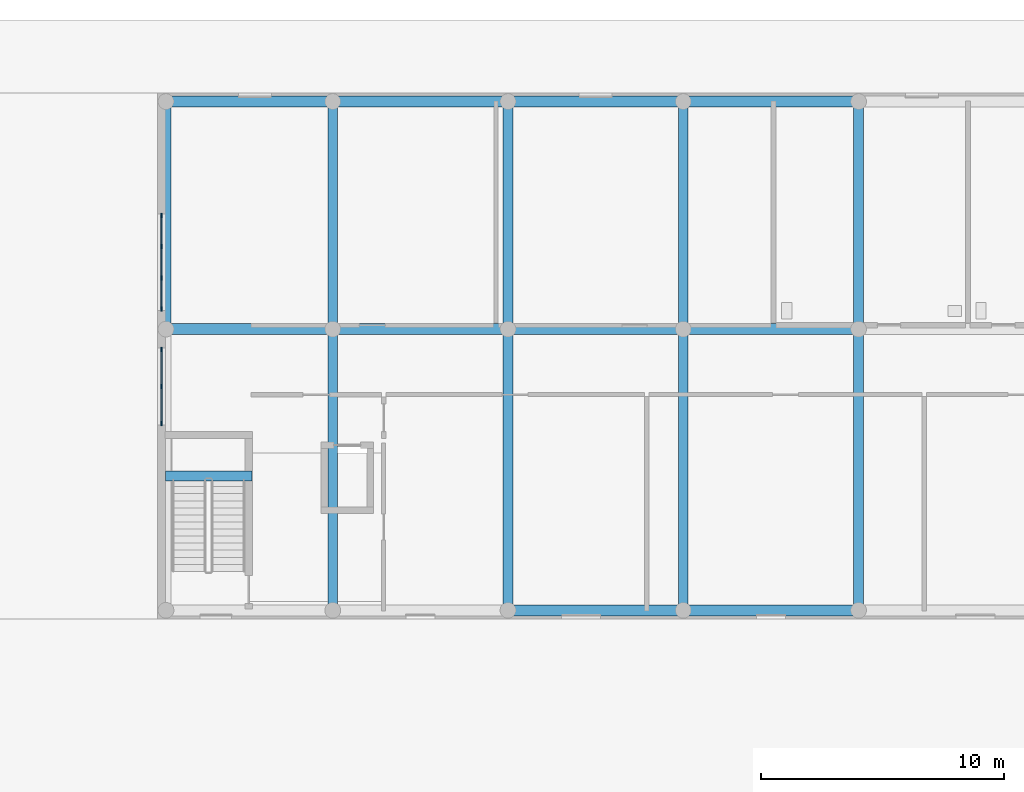
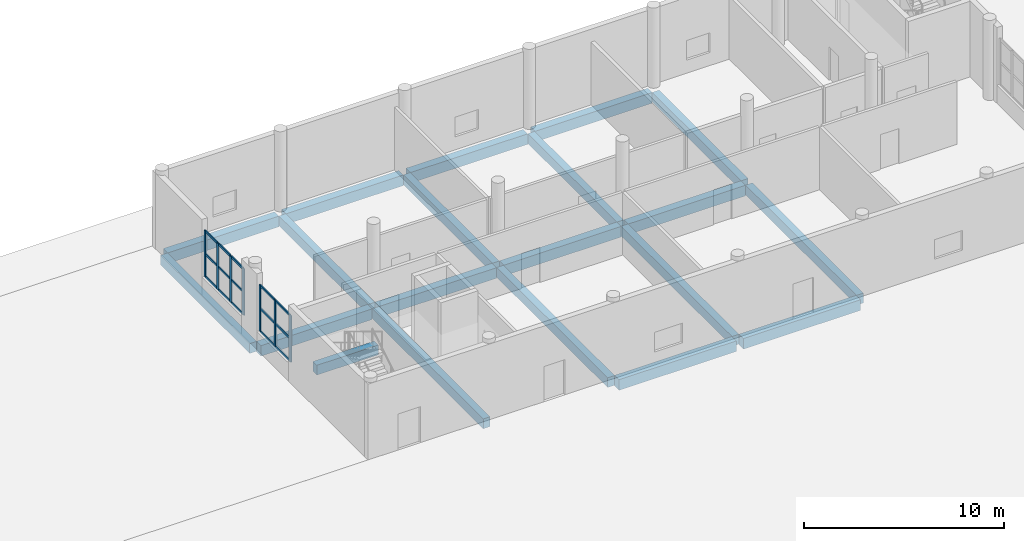
# One storey, part 21 of 85: 22 members, 20 beams, 2 elements without a shape of their own.
"""IFC4 building model written with IfcOpenShell, lengths in metres."""

from ifc_helpers import new_model, si_unit, derived_unit, direction, frame, origin, origin_2d, place, context, subcontext, project, spatial, rectangle, extrude, material, layer, layer_set, material_profile, profile_set, type_object, element, aggregate, save


model = new_model("IFC4")

# Units and contexts
model_context = context("Model", 3, precision=1e-05, world=origin(), true_north=direction((0.0, 1.0)))
body_context = subcontext(model_context, "Body", "Model", "MODEL_VIEW")
ifc_project = project(units=[si_unit("LENGTHUNIT", "METRE"), si_unit("AREAUNIT", "SQUARE_METRE"), si_unit("VOLUMEUNIT", "CUBIC_METRE"), si_unit("PLANEANGLEUNIT", "RADIAN"), si_unit("MASSUNIT", "GRAM", prefix="KILO"), derived_unit("THERMALTRANSMITTANCEUNIT", [(si_unit("MASSUNIT", "GRAM", prefix="KILO"), 1), (si_unit("TIMEUNIT", "SECOND"), -3), (si_unit("THERMODYNAMICTEMPERATUREUNIT", "KELVIN"), -1)])], contexts=[model_context])

# Site, building, storey
site_placement = place(None, origin())
site = spatial("IfcSite", under=ifc_project, at=site_placement, CompositionType="ELEMENT")
building_placement = place(site_placement, origin())
building = spatial("IfcBuilding", under=site, at=building_placement, Name="Ochrekiln Boulevard Commons", CompositionType="ELEMENT")
storey_placement = place(building_placement, origin())
storey = spatial("IfcBuildingStorey", under=building, at=storey_placement, Name="L00", CompositionType="ELEMENT", Elevation=0.0)

# Beams
ifc_material_1 = material(Name="Concrete C35/45", Category="concrete")
ifc_material_profile_1 = material_profile(ifc_material_1, rectangle(XDim=0.39990234375, YDim=0.60009765625, at=origin_2d()), Name="RC-BM-400x600")
ifc_profile_set_1 = profile_set([ifc_material_profile_1], Name="Concrete C35/45")
beam_type_1 = type_object("IfcBeamType", Name="BM-RC-400x600", PredefinedType="BEAM", material=ifc_profile_set_1)
beam_1_placement = place(storey_placement, frame((65.14990234375, 109.31005859375, -0.580078125), z_axis=(0.0, 1.0, 0.0), x_axis=(-1.0, 0.0, 0.0)))
element("IfcBeam", 1, at=beam_1_placement, inside=storey, type_object=beam_type_1, Name="Nursery Pavilion L00 Beam B-4060 Y20", PredefinedType="BEAM", context=body_context, shape_type="SweptSolid", body=[
    extrude(rectangle(XDim=0.39990234375, YDim=0.60009765625, at=origin_2d()), origin(), (0.0, 0.0, 1.0), 8.929931640625),
])
beam_2_placement = place(storey_placement, frame((72.0, 97.760009765625, -0.580078125), z_axis=(0.0, 1.0, 0.0), x_axis=(-1.0, 0.0, 0.0)))
element("IfcBeam", 2, at=beam_2_placement, inside=storey, type_object=beam_type_1, Name="Nursery Pavilion L00 Beam B-4060 Y21", PredefinedType="BEAM", context=body_context, shape_type="SweptSolid", body=[
    extrude(rectangle(XDim=0.39990234375, YDim=0.60009765625, at=origin_2d()), origin(), (0.0, 0.0, 1.0), 11.1298828125),
])
beam_3_placement = place(storey_placement, frame((72.0, 109.31005859375, -0.580078125), z_axis=(0.0, 1.0, 0.0), x_axis=(-1.0, 0.0, 0.0)))
element("IfcBeam", 3, at=beam_3_placement, inside=storey, type_object=beam_type_1, Name="Nursery Pavilion L00 Beam B-4060 Y22", PredefinedType="BEAM", context=body_context, shape_type="SweptSolid", body=[
    extrude(rectangle(XDim=0.39990234375, YDim=0.60009765625, at=origin_2d()), origin(), (0.0, 0.0, 1.0), 8.929931640625),
])
beam_4_placement = place(storey_placement, frame((79.199951171875, 97.760009765625, -0.580078125), z_axis=(0.0, 1.0, 0.0), x_axis=(-1.0, 0.0, 0.0)))
element("IfcBeam", 4, at=beam_4_placement, inside=storey, type_object=beam_type_1, Name="Nursery Pavilion L00 Beam B-4060 Y23", PredefinedType="BEAM", context=body_context, shape_type="SweptSolid", body=[
    extrude(rectangle(XDim=0.39990234375, YDim=0.60009765625, at=origin_2d()), origin(), (0.0, 0.0, 1.0), 11.1298828125),
])
beam_5_placement = place(storey_placement, frame((79.199951171875, 109.31005859375, -0.580078125), z_axis=(0.0, 1.0, 0.0), x_axis=(-1.0, 0.0, 0.0)))
element("IfcBeam", 5, at=beam_5_placement, inside=storey, type_object=beam_type_1, Name="Nursery Pavilion L00 Beam B-4060 Y24", PredefinedType="BEAM", context=body_context, shape_type="SweptSolid", body=[
    extrude(rectangle(XDim=0.39990234375, YDim=0.60009765625, at=origin_2d()), origin(), (0.0, 0.0, 1.0), 8.929931640625),
])
beam_6_placement = place(storey_placement, frame((86.39990234375, 97.760009765625, -0.580078125), z_axis=(0.0, 1.0, 0.0), x_axis=(-1.0, 0.0, 0.0)))
element("IfcBeam", 6, at=beam_6_placement, inside=storey, type_object=beam_type_1, Name="Nursery Pavilion L00 Beam B-4060 Y25", PredefinedType="BEAM", context=body_context, shape_type="SweptSolid", body=[
    extrude(rectangle(XDim=0.39990234375, YDim=0.60009765625, at=origin_2d()), origin(), (0.0, 0.0, 1.0), 11.1298828125),
])
beam_7_placement = place(storey_placement, frame((86.39990234375, 109.31005859375, -0.580078125), z_axis=(0.0, 1.0, 0.0), x_axis=(-1.0, 0.0, 0.0)))
element("IfcBeam", 7, at=beam_7_placement, inside=storey, type_object=beam_type_1, Name="Nursery Pavilion L00 Beam B-4060 Y26", PredefinedType="BEAM", context=body_context, shape_type="SweptSolid", body=[
    extrude(rectangle(XDim=0.39990234375, YDim=0.60009765625, at=origin_2d()), origin(), (0.0, 0.0, 1.0), 8.929931640625),
])
beam_8_placement = place(storey_placement, frame((93.60009765625, 97.760009765625, -0.580078125), z_axis=(0.0, 1.0, 0.0), x_axis=(-1.0, 0.0, 0.0)))
element("IfcBeam", 8, at=beam_8_placement, inside=storey, type_object=beam_type_1, Name="Nursery Pavilion L00 Beam B-4060 Y27", PredefinedType="BEAM", context=body_context, shape_type="SweptSolid", body=[
    extrude(rectangle(XDim=0.39990234375, YDim=0.60009765625, at=origin_2d()), origin(), (0.0, 0.0, 1.0), 11.1298828125),
])
beam_9_placement = place(storey_placement, frame((93.60009765625, 109.31005859375, -0.580078125), z_axis=(0.0, 1.0, 0.0), x_axis=(-1.0, 0.0, 0.0)))
element("IfcBeam", 9, at=beam_9_placement, inside=storey, type_object=beam_type_1, Name="Nursery Pavilion L00 Beam B-4060 Y28", PredefinedType="BEAM", context=body_context, shape_type="SweptSolid", body=[
    extrude(rectangle(XDim=0.39990234375, YDim=0.60009765625, at=origin_2d()), origin(), (0.0, 0.0, 1.0), 8.929931640625),
])
beam_10_placement = place(storey_placement, frame((65.1201171875, 103.070068359375, 1.93994140625), z_axis=(1.0, 0.0, 0.0), x_axis=(0.0, 1.0, 0.0)))
element("IfcBeam", 10, at=beam_10_placement, inside=storey, type_object=beam_type_1, Name="Stair ST-N1 L00 Half-Landing Support Beam B-4060", PredefinedType="BEAM", context=body_context, shape_type="SweptSolid", body=[
    extrude(rectangle(XDim=0.39990234375, YDim=0.60009765625, at=origin_2d()), origin(), (0.0, 0.0, 1.0), 3.559814453125),
])
ifc_material_profile_2 = material_profile(ifc_material_1, rectangle(XDim=0.449951171875, YDim=0.64990234375, at=origin_2d()), Name="RC-BM-450x650")
ifc_profile_set_2 = profile_set([ifc_material_profile_2], Name="Concrete C35/45")
beam_type_2 = type_object("IfcBeamType", Name="BM-RC-450x650", PredefinedType="BEAM", material=ifc_profile_set_2)
beam_11_placement = place(storey_placement, frame((79.409912109375, 97.550048828125, -0.60498046875), z_axis=(1.0, 0.0, 0.0), x_axis=(0.0, 1.0, 0.0)))
element("IfcBeam", 11, at=beam_11_placement, inside=storey, type_object=beam_type_2, Name="Nursery Pavilion L00 Beam B-4565 X3", PredefinedType="BEAM", context=body_context, shape_type="SweptSolid", body=[
    extrude(rectangle(XDim=0.449951171875, YDim=0.64990234375, at=origin_2d()), origin(), (0.0, 0.0, 1.0), 6.780029296875),
])
beam_12_placement = place(storey_placement, frame((86.610107421875, 97.550048828125, -0.60498046875), z_axis=(1.0, 0.0, 0.0), x_axis=(0.0, 1.0, 0.0)))
element("IfcBeam", 12, at=beam_12_placement, inside=storey, type_object=beam_type_2, Name="Nursery Pavilion L00 Beam B-4565 X4", PredefinedType="BEAM", context=body_context, shape_type="SweptSolid", body=[
    extrude(rectangle(XDim=0.449951171875, YDim=0.64990234375, at=origin_2d()), origin(), (0.0, 0.0, 1.0), 6.77978515625),
])
beam_13_placement = place(storey_placement, frame((65.360107421875, 109.10009765625, -0.60498046875), z_axis=(1.0, 0.0, 0.0), x_axis=(0.0, 1.0, 0.0)))
element("IfcBeam", 13, at=beam_13_placement, inside=storey, type_object=beam_type_2, Name="Nursery Pavilion L00 Beam B-4565 X7", PredefinedType="BEAM", context=body_context, shape_type="SweptSolid", body=[
    extrude(rectangle(XDim=0.449951171875, YDim=0.64990234375, at=origin_2d()), origin(), (0.0, 0.0, 1.0), 6.429931640625),
])
for number, where, z_axis, x_axis, name in (
    (14, (72.2099609375, 109.10009765625, -0.60498046875), (1.0, 0.0, 0.0), (0.0, 1.0, 0.0), "Nursery Pavilion L00 Beam B-4565 X8"),
    (15, (79.409912109375, 109.10009765625, -0.60498046875), (1.0, 0.0, 0.0), (0.0, 1.0, 0.0), "Nursery Pavilion L00 Beam B-4565 X9"),
):
    element("IfcBeam", number, at=place(storey_placement, frame(where, z_axis=z_axis, x_axis=x_axis)), inside=storey, type_object=beam_type_2, Name=name, PredefinedType="BEAM", context=body_context, shape_type="SweptSolid", body=[
        extrude(rectangle(XDim=0.449951171875, YDim=0.64990234375, at=origin_2d()), origin(), (0.0, 0.0, 1.0), 6.780029296875),
    ])
beam_14_placement = place(storey_placement, frame((86.610107421875, 109.10009765625, -0.60498046875), z_axis=(1.0, 0.0, 0.0), x_axis=(0.0, 1.0, 0.0)))
element("IfcBeam", 16, at=beam_14_placement, inside=storey, type_object=beam_type_2, Name="Nursery Pavilion L00 Beam B-4565 X10", PredefinedType="BEAM", context=body_context, shape_type="SweptSolid", body=[
    extrude(rectangle(XDim=0.449951171875, YDim=0.64990234375, at=origin_2d()), origin(), (0.0, 0.0, 1.0), 6.77978515625),
])
beam_15_placement = place(storey_placement, frame((65.360107421875, 118.449951171875, -0.60498046875), z_axis=(1.0, 0.0, 0.0), x_axis=(0.0, 1.0, 0.0)))
element("IfcBeam", 17, at=beam_15_placement, inside=storey, type_object=beam_type_2, Name="Nursery Pavilion L00 Beam B-4565 X13", PredefinedType="BEAM", context=body_context, shape_type="SweptSolid", body=[
    extrude(rectangle(XDim=0.449951171875, YDim=0.64990234375, at=origin_2d()), origin(), (0.0, 0.0, 1.0), 6.429931640625),
])
for number, where, z_axis, x_axis, name in (
    (18, (72.2099609375, 118.449951171875, -0.60498046875), (1.0, 0.0, 0.0), (0.0, 1.0, 0.0), "Nursery Pavilion L00 Beam B-4565 X14"),
    (19, (79.409912109375, 118.449951171875, -0.60498046875), (1.0, 0.0, 0.0), (0.0, 1.0, 0.0), "Nursery Pavilion L00 Beam B-4565 X15"),
):
    element("IfcBeam", number, at=place(storey_placement, frame(where, z_axis=z_axis, x_axis=x_axis)), inside=storey, type_object=beam_type_2, Name=name, PredefinedType="BEAM", context=body_context, shape_type="SweptSolid", body=[
        extrude(rectangle(XDim=0.449951171875, YDim=0.64990234375, at=origin_2d()), origin(), (0.0, 0.0, 1.0), 6.780029296875),
    ])
beam_16_placement = place(storey_placement, frame((86.610107421875, 118.449951171875, -0.60498046875), z_axis=(1.0, 0.0, 0.0), x_axis=(0.0, 1.0, 0.0)))
element("IfcBeam", 20, at=beam_16_placement, inside=storey, type_object=beam_type_2, Name="Nursery Pavilion L00 Beam B-4565 X16", PredefinedType="BEAM", context=body_context, shape_type="SweptSolid", body=[
    extrude(rectangle(XDim=0.449951171875, YDim=0.64990234375, at=origin_2d()), origin(), (0.0, 0.0, 1.0), 6.77978515625),
])

# Curtain wall, members
ifc_material_2 = material(Name="Bronze-anodized extruded aluminium 6063-T6", Category="aluminium")
ifc_layer = layer(ifc_material_2, 0.219970703125)
ifc_layer_set = layer_set([ifc_layer], Name="Bronze-anodized extruded aluminium 6063-T6")
curtain_wall_type = type_object("IfcCurtainWallType", Name="CW-NUR", PredefinedType="USERDEFINED", material=ifc_layer_set)
curtain_wall_1_placement = place(storey_placement, origin())
curtain_wall_1 = element("IfcCurtainWall", 21, at=curtain_wall_1_placement, inside=storey, type_object=curtain_wall_type, Name="Nursery L00 Garden End Curtain Wall W-1", ObjectType="GLAZED CURTAIN WALL", PredefinedType="USERDEFINED")
ifc_material_profile_3 = material_profile(ifc_material_2, rectangle(XDim=0.06494140625, YDim=0.179931640625, at=origin_2d()), Name="ALU-MUL-65x180")
ifc_profile_set_3 = profile_set([ifc_material_profile_3], Name="Bronze-anodized extruded aluminium 6063-T6")
member_type_1 = type_object("IfcMemberType", Name="CWM-65x180", PredefinedType="MULLION", material=ifc_profile_set_3)
member_1_placement = place(storey_placement, frame((64.9599609375, 105.232421875, 1.110107421875), z_axis=(0.0, 0.0, 1.0), x_axis=(-1.0, 0.0, 0.0)))
member_1 = element("IfcMember", 22, at=member_1_placement, type_object=member_type_1, Name="CW-05 mullion 1", PredefinedType="MULLION", context=body_context, shape_type="SweptSolid", body=[
    extrude(rectangle(XDim=0.06494140625, YDim=0.179931640625, at=origin_2d()), origin(), (0.0, 0.0, 1.0), 2.83984375),
])
member_2_placement = place(storey_placement, frame((64.9599609375, 106.75, 1.110107421875), z_axis=(0.0, 0.0, 1.0), x_axis=(-1.0, 0.0, 0.0)))
member_2 = element("IfcMember", 23, at=member_2_placement, type_object=member_type_1, Name="CW-05 mullion 2", PredefinedType="MULLION", context=body_context, shape_type="SweptSolid", body=[
    extrude(rectangle(XDim=0.06494140625, YDim=0.179931640625, at=origin_2d()), origin(), (0.0, 0.0, 1.0), 2.83984375),
])
member_3_placement = place(storey_placement, frame((64.9599609375, 108.267578125, 1.110107421875), z_axis=(0.0, 0.0, 1.0), x_axis=(-1.0, 0.0, 0.0)))
member_3 = element("IfcMember", 24, at=member_3_placement, type_object=member_type_1, Name="CW-05 mullion 3", PredefinedType="MULLION", context=body_context, shape_type="SweptSolid", body=[
    extrude(rectangle(XDim=0.06494140625, YDim=0.179931640625, at=origin_2d()), origin(), (0.0, 0.0, 1.0), 2.83984375),
])

curtain_wall_2_placement = place(storey_placement, origin())
curtain_wall_2 = element("IfcCurtainWall", 25, at=curtain_wall_2_placement, inside=storey, type_object=curtain_wall_type, Name="Nursery L00 Garden End Curtain Wall W-2", ObjectType="GLAZED CURTAIN WALL", PredefinedType="USERDEFINED")
member_4_placement = place(storey_placement, frame((64.9599609375, 109.9326171875, 1.110107421875), z_axis=(0.0, 0.0, 1.0), x_axis=(-1.0, 0.0, 0.0)))
member_4 = element("IfcMember", 26, at=member_4_placement, type_object=member_type_1, Name="CW-05 mullion 1", PredefinedType="MULLION", context=body_context, shape_type="SweptSolid", body=[
    extrude(rectangle(XDim=0.06494140625, YDim=0.179931640625, at=origin_2d()), origin(), (0.0, 0.0, 1.0), 2.83984375),
])
member_5_placement = place(storey_placement, frame((64.9599609375, 111.199951171875, 1.110107421875), z_axis=(0.0, 0.0, 1.0), x_axis=(-1.0, 0.0, 0.0)))
member_5 = element("IfcMember", 27, at=member_5_placement, type_object=member_type_1, Name="CW-05 mullion 2", PredefinedType="MULLION", context=body_context, shape_type="SweptSolid", body=[
    extrude(rectangle(XDim=0.06494140625, YDim=0.179931640625, at=origin_2d()), origin(), (0.0, 0.0, 1.0), 2.83984375),
])
member_6_placement = place(storey_placement, frame((64.9599609375, 112.5, 1.110107421875), z_axis=(0.0, 0.0, 1.0), x_axis=(-1.0, 0.0, 0.0)))
member_6 = element("IfcMember", 28, at=member_6_placement, type_object=member_type_1, Name="CW-05 mullion 3", PredefinedType="MULLION", context=body_context, shape_type="SweptSolid", body=[
    extrude(rectangle(XDim=0.06494140625, YDim=0.179931640625, at=origin_2d()), origin(), (0.0, 0.0, 1.0), 2.83984375),
])
member_7_placement = place(storey_placement, frame((64.9599609375, 113.767578125, 1.110107421875), z_axis=(0.0, 0.0, 1.0), x_axis=(-1.0, 0.0, 0.0)))
member_7 = element("IfcMember", 29, at=member_7_placement, type_object=member_type_1, Name="CW-05 mullion 4", PredefinedType="MULLION", context=body_context, shape_type="SweptSolid", body=[
    extrude(rectangle(XDim=0.06494140625, YDim=0.179931640625, at=origin_2d()), origin(), (0.0, 0.0, 1.0), 2.83984375),
])

# Member
ifc_material_profile_4 = material_profile(ifc_material_2, rectangle(XDim=0.06494140625, YDim=0.139892578125, at=origin_2d()), Name="ALU-TRN-65x140")
ifc_profile_set_4 = profile_set([ifc_material_profile_4], Name="Bronze-anodized extruded aluminium 6063-T6")
member_type_2 = type_object("IfcMemberType", Name="CWT-65x140", PredefinedType="USERDEFINED", material=ifc_profile_set_4)
member_8_placement = place(storey_placement, frame((64.9599609375, 105.264892578125, 1.142578125), z_axis=(0.0, 1.0, 0.0), x_axis=(-1.0, 0.0, 0.0)))
member_8 = element("IfcMember", 30, at=member_8_placement, type_object=member_type_2, Name="CW-05 transom 1.1", ObjectType="TRANSOM", PredefinedType="USERDEFINED", context=body_context, shape_type="SweptSolid", body=[
    extrude(rectangle(XDim=0.06494140625, YDim=0.139892578125, at=origin_2d()), origin(), (0.0, 0.0, 1.0), 1.45263671875),
])

member_9_placement = place(storey_placement, frame((64.9599609375, 105.264892578125, 2.530029296875), z_axis=(0.0, 1.0, 0.0), x_axis=(-1.0, 0.0, 0.0)))
member_9 = element("IfcMember", 31, at=member_9_placement, type_object=member_type_2, Name="CW-05 transom 1.2", ObjectType="TRANSOM", PredefinedType="USERDEFINED", context=body_context, shape_type="SweptSolid", body=[
    extrude(rectangle(XDim=0.06494140625, YDim=0.139892578125, at=origin_2d()), origin(), (0.0, 0.0, 1.0), 1.45263671875),
])

member_10_placement = place(storey_placement, frame((64.9599609375, 105.264892578125, 3.91748046875), z_axis=(0.0, 1.0, 0.0), x_axis=(-1.0, 0.0, 0.0)))
member_10 = element("IfcMember", 32, at=member_10_placement, type_object=member_type_2, Name="CW-05 transom 1.3", ObjectType="TRANSOM", PredefinedType="USERDEFINED", context=body_context, shape_type="SweptSolid", body=[
    extrude(rectangle(XDim=0.06494140625, YDim=0.139892578125, at=origin_2d()), origin(), (0.0, 0.0, 1.0), 1.45263671875),
])

member_11_placement = place(storey_placement, frame((64.9599609375, 106.782470703125, 1.142578125), z_axis=(0.0, 1.0, 0.0), x_axis=(-1.0, 0.0, 0.0)))
member_11 = element("IfcMember", 33, at=member_11_placement, type_object=member_type_2, Name="CW-05 transom 2.1", ObjectType="TRANSOM", PredefinedType="USERDEFINED", context=body_context, shape_type="SweptSolid", body=[
    extrude(rectangle(XDim=0.06494140625, YDim=0.139892578125, at=origin_2d()), origin(), (0.0, 0.0, 1.0), 1.45263671875),
])

member_12_placement = place(storey_placement, frame((64.9599609375, 106.782470703125, 2.530029296875), z_axis=(0.0, 1.0, 0.0), x_axis=(-1.0, 0.0, 0.0)))
member_12 = element("IfcMember", 34, at=member_12_placement, type_object=member_type_2, Name="CW-05 transom 2.2", ObjectType="TRANSOM", PredefinedType="USERDEFINED", context=body_context, shape_type="SweptSolid", body=[
    extrude(rectangle(XDim=0.06494140625, YDim=0.139892578125, at=origin_2d()), origin(), (0.0, 0.0, 1.0), 1.45263671875),
])

member_13_placement = place(storey_placement, frame((64.9599609375, 106.782470703125, 3.91748046875), z_axis=(0.0, 1.0, 0.0), x_axis=(-1.0, 0.0, 0.0)))
member_13 = element("IfcMember", 35, at=member_13_placement, type_object=member_type_2, Name="CW-05 transom 2.3", ObjectType="TRANSOM", PredefinedType="USERDEFINED", context=body_context, shape_type="SweptSolid", body=[
    extrude(rectangle(XDim=0.06494140625, YDim=0.139892578125, at=origin_2d()), origin(), (0.0, 0.0, 1.0), 1.45263671875),
])

aggregate(curtain_wall_1, [member_1, member_2, member_3, member_8, member_9, member_10, member_11, member_12, member_13])

member_14_placement = place(storey_placement, frame((64.9599609375, 109.965087890625, 1.142578125), z_axis=(0.0, 1.0, 0.0), x_axis=(-1.0, 0.0, 0.0)))
member_14 = element("IfcMember", 36, at=member_14_placement, type_object=member_type_2, Name="CW-05 transom 1.1", ObjectType="TRANSOM", PredefinedType="USERDEFINED", context=body_context, shape_type="SweptSolid", body=[
    extrude(rectangle(XDim=0.06494140625, YDim=0.139892578125, at=origin_2d()), origin(), (0.0, 0.0, 1.0), 1.202392578125),
])

member_15_placement = place(storey_placement, frame((64.9599609375, 109.965087890625, 2.530029296875), z_axis=(0.0, 1.0, 0.0), x_axis=(-1.0, 0.0, 0.0)))
member_15 = element("IfcMember", 37, at=member_15_placement, type_object=member_type_2, Name="CW-05 transom 1.2", ObjectType="TRANSOM", PredefinedType="USERDEFINED", context=body_context, shape_type="SweptSolid", body=[
    extrude(rectangle(XDim=0.06494140625, YDim=0.139892578125, at=origin_2d()), origin(), (0.0, 0.0, 1.0), 1.202392578125),
])

member_16_placement = place(storey_placement, frame((64.9599609375, 109.965087890625, 3.91748046875), z_axis=(0.0, 1.0, 0.0), x_axis=(-1.0, 0.0, 0.0)))
member_16 = element("IfcMember", 38, at=member_16_placement, type_object=member_type_2, Name="CW-05 transom 1.3", ObjectType="TRANSOM", PredefinedType="USERDEFINED", context=body_context, shape_type="SweptSolid", body=[
    extrude(rectangle(XDim=0.06494140625, YDim=0.139892578125, at=origin_2d()), origin(), (0.0, 0.0, 1.0), 1.202392578125),
])

member_17_placement = place(storey_placement, frame((64.9599609375, 111.232421875, 1.142578125), z_axis=(0.0, 1.0, 0.0), x_axis=(-1.0, 0.0, 0.0)))
member_17 = element("IfcMember", 39, at=member_17_placement, type_object=member_type_2, Name="CW-05 transom 2.1", ObjectType="TRANSOM", PredefinedType="USERDEFINED", context=body_context, shape_type="SweptSolid", body=[
    extrude(rectangle(XDim=0.06494140625, YDim=0.139892578125, at=origin_2d()), origin(), (0.0, 0.0, 1.0), 1.235107421875),
])

member_18_placement = place(storey_placement, frame((64.9599609375, 111.232421875, 2.530029296875), z_axis=(0.0, 1.0, 0.0), x_axis=(-1.0, 0.0, 0.0)))
member_18 = element("IfcMember", 40, at=member_18_placement, type_object=member_type_2, Name="CW-05 transom 2.2", ObjectType="TRANSOM", PredefinedType="USERDEFINED", context=body_context, shape_type="SweptSolid", body=[
    extrude(rectangle(XDim=0.06494140625, YDim=0.139892578125, at=origin_2d()), origin(), (0.0, 0.0, 1.0), 1.235107421875),
])

member_19_placement = place(storey_placement, frame((64.9599609375, 111.232421875, 3.91748046875), z_axis=(0.0, 1.0, 0.0), x_axis=(-1.0, 0.0, 0.0)))
member_19 = element("IfcMember", 41, at=member_19_placement, type_object=member_type_2, Name="CW-05 transom 2.3", ObjectType="TRANSOM", PredefinedType="USERDEFINED", context=body_context, shape_type="SweptSolid", body=[
    extrude(rectangle(XDim=0.06494140625, YDim=0.139892578125, at=origin_2d()), origin(), (0.0, 0.0, 1.0), 1.235107421875),
])

member_20_placement = place(storey_placement, frame((64.9599609375, 112.532470703125, 1.142578125), z_axis=(0.0, 1.0, 0.0), x_axis=(-1.0, 0.0, 0.0)))
member_20 = element("IfcMember", 42, at=member_20_placement, type_object=member_type_2, Name="CW-05 transom 3.1", ObjectType="TRANSOM", PredefinedType="USERDEFINED", context=body_context, shape_type="SweptSolid", body=[
    extrude(rectangle(XDim=0.06494140625, YDim=0.139892578125, at=origin_2d()), origin(), (0.0, 0.0, 1.0), 1.20263671875),
])

member_21_placement = place(storey_placement, frame((64.9599609375, 112.532470703125, 2.530029296875), z_axis=(0.0, 1.0, 0.0), x_axis=(-1.0, 0.0, 0.0)))
member_21 = element("IfcMember", 43, at=member_21_placement, type_object=member_type_2, Name="CW-05 transom 3.2", ObjectType="TRANSOM", PredefinedType="USERDEFINED", context=body_context, shape_type="SweptSolid", body=[
    extrude(rectangle(XDim=0.06494140625, YDim=0.139892578125, at=origin_2d()), origin(), (0.0, 0.0, 1.0), 1.20263671875),
])

member_22_placement = place(storey_placement, frame((64.9599609375, 112.532470703125, 3.91748046875), z_axis=(0.0, 1.0, 0.0), x_axis=(-1.0, 0.0, 0.0)))
member_22 = element("IfcMember", 44, at=member_22_placement, type_object=member_type_2, Name="CW-05 transom 3.3", ObjectType="TRANSOM", PredefinedType="USERDEFINED", context=body_context, shape_type="SweptSolid", body=[
    extrude(rectangle(XDim=0.06494140625, YDim=0.139892578125, at=origin_2d()), origin(), (0.0, 0.0, 1.0), 1.20263671875),
])

aggregate(curtain_wall_2, [member_4, member_5, member_6, member_7, member_14, member_15, member_16, member_17, member_18, member_19, member_20, member_21, member_22])

save(model, "model.ifc")
